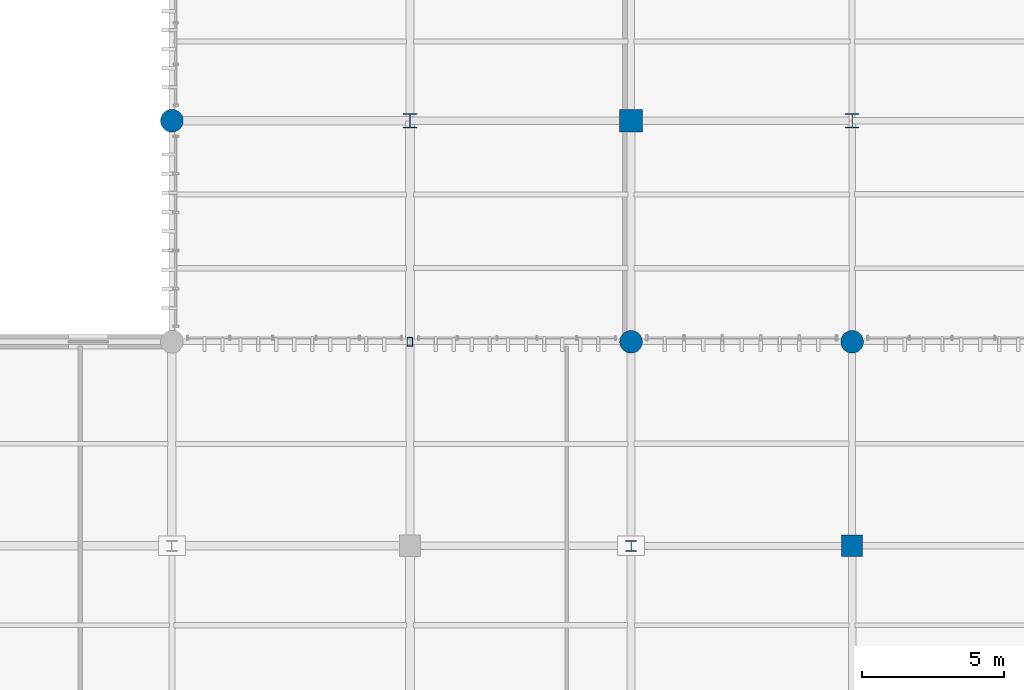
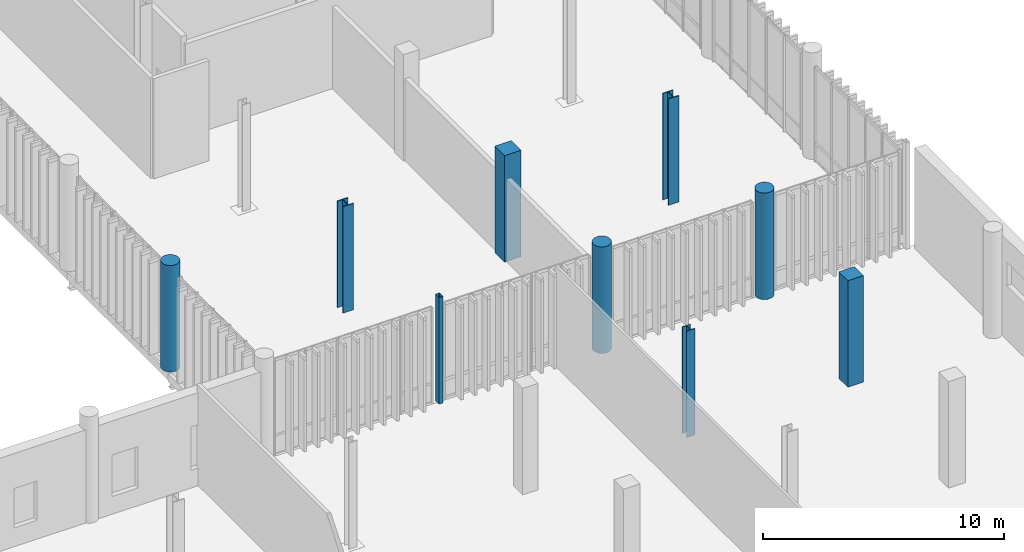
# One storey, part 11 of 112: 9 columns.
"""IFC4 building model written with IfcOpenShell, lengths in metres."""

from ifc_helpers import new_model, si_unit, direction, frame, origin_with_axes, origin_2d_with_axis, place, context, subcontext, project, spatial, rectangle, hollow_rectangle, circle, i_section, extrude, material, material_profile, profile_set, type_object, element, save


model = new_model("IFC4")

# Units and contexts
model_context = context("Model", 3, precision=1e-05, world=origin_with_axes(), true_north=direction((0.0, 1.0)))
body_context = subcontext(model_context, "Body", "Model", "MODEL_VIEW")
ifc_project = project(units=[si_unit("LENGTHUNIT", "METRE"), si_unit("AREAUNIT", "SQUARE_METRE"), si_unit("VOLUMEUNIT", "CUBIC_METRE"), si_unit("PLANEANGLEUNIT", "RADIAN"), si_unit("MASSUNIT", "GRAM", prefix="KILO"), si_unit("THERMODYNAMICTEMPERATUREUNIT", "KELVIN")], contexts=[model_context])

# Site, building, storey
site_placement = place(None, origin_with_axes())
site = spatial("IfcSite", under=ifc_project, at=site_placement, CompositionType="ELEMENT")
building_placement = place(site_placement, origin_with_axes())
building = spatial("IfcBuilding", under=site, at=building_placement, Name="Montbau Bow Law Courts", CompositionType="ELEMENT")
storey_placement = place(building_placement, origin_with_axes())
storey = spatial("IfcBuildingStorey", under=building, at=storey_placement, Name="L00", CompositionType="ELEMENT", Elevation=0.0)

# Columns
ifc_material_1 = material(Name="Steel CSA G40.21 Grade 350WT (350 MPa)", Category="steel")
ifc_material_profile_1 = material_profile(ifc_material_1, hollow_rectangle(XDim=0.203, YDim=0.305, WallThickness=0.0127, InnerFilletRadius=0.0254, OuterFilletRadius=0.0127, at=origin_2d_with_axis()), Name="HSS305X203X13", Category="Main", Priority=0)
ifc_profile_set_1 = profile_set([ifc_material_profile_1], Name="Steel CSA G40.21 Grade 350WT (350 MPa)")
column_type_1 = type_object("IfcColumnType", Name="C-HSS-03", PredefinedType="COLUMN", material=ifc_profile_set_1)
column_1_placement = place(None, frame((147.0, 61.8, 0.0), z_axis=(0.0, 0.0, 1.0), x_axis=(1.0, 0.0, 0.0)))
element("IfcColumn", 1, at=column_1_placement, inside=storey, type_object=column_type_1, Name="C-L00-S0306:col2_0306", PredefinedType="COLUMN", context=body_context, shape_type="SweptSolid", body=[
    extrude(hollow_rectangle(XDim=0.203, YDim=0.305, WallThickness=0.0127, InnerFilletRadius=0.0254, OuterFilletRadius=0.0127, at=origin_2d_with_axis()), origin_with_axes(), (0.0, 0.0, 1.0), 5.4),
])
ifc_material_2 = material(Name="Concrete CSA A23.1 f'c 45 MPa", Category="concrete")
ifc_material_profile_2 = material_profile(ifc_material_2, rectangle(XDim=0.8, YDim=0.8, at=origin_2d_with_axis()), Name="RC800X800", Category="Main", Priority=0)
ifc_profile_set_2 = profile_set([ifc_material_profile_2], Name="Concrete CSA A23.1 f'c 45 MPa")
column_type_2 = type_object("IfcColumnType", Name="C-RC-02", PredefinedType="COLUMN", material=ifc_profile_set_2)
column_2_placement = place(None, frame((154.8, 69.6, 0.0), z_axis=(0.0, 0.0, 1.0), x_axis=(1.0, 0.0, 0.0)))
element("IfcColumn", 2, at=column_2_placement, inside=storey, type_object=column_type_2, Name="C-L00-S0322:col2_0322", PredefinedType="COLUMN", context=body_context, shape_type="SweptSolid", body=[
    extrude(rectangle(XDim=0.8, YDim=0.8, at=origin_2d_with_axis()), origin_with_axes(), (0.0, 0.0, 1.0), 5.4),
])
ifc_material_3 = material(Name="Concrete CSA A23.1 f'c 40 MPa", Category="concrete")
ifc_material_profile_3 = material_profile(ifc_material_3, rectangle(XDim=0.75, YDim=0.75, at=origin_2d_with_axis()), Name="RC750X750", Category="Main", Priority=0)
ifc_profile_set_3 = profile_set([ifc_material_profile_3], Name="Concrete CSA A23.1 f'c 40 MPa")
column_type_3 = type_object("IfcColumnType", Name="C-RC-03", PredefinedType="COLUMN", material=ifc_profile_set_3)
column_3_placement = place(None, frame((162.6, 54.6, 0.0), z_axis=(0.0, 0.0, 1.0), x_axis=(1.0, 0.0, 0.0)))
element("IfcColumn", 3, at=column_3_placement, inside=storey, type_object=column_type_3, Name="C-L00-S0335:col2_0335", PredefinedType="COLUMN", context=body_context, shape_type="SweptSolid", body=[
    extrude(rectangle(XDim=0.75, YDim=0.75, at=origin_2d_with_axis()), origin_with_axes(), (0.0, 0.0, 1.0), 5.4),
])
ifc_material_profile_4 = material_profile(ifc_material_3, circle(Radius=0.4, at=origin_2d_with_axis()), Name="RC800D", Category="Main", Priority=0)
ifc_profile_set_4 = profile_set([ifc_material_profile_4], Name="Concrete CSA A23.1 f'c 40 MPa")
column_type_4 = type_object("IfcColumnType", Name="C-RC-07", PredefinedType="COLUMN", material=ifc_profile_set_4)
for number, where, z_axis, x_axis, name in (
    (4, (138.6, 69.6, 0.0), (0.0, 0.0, 1.0), (1.0, 0.0, 0.0), "C-L00-S0292:col2_0292"),
    (5, (154.8, 61.8, 0.0), (0.0, 0.0, 1.0), (1.0, 0.0, 0.0), "C-L00-S0321:col2_0321"),
    (6, (162.6, 61.8, 0.0), (0.0, 0.0, 1.0), (1.0, 0.0, 0.0), "C-L00-S0336:col2_0336"),
):
    element("IfcColumn", number, at=place(None, frame(where, z_axis=z_axis, x_axis=x_axis)), inside=storey, type_object=column_type_4, Name=name, PredefinedType="COLUMN", context=body_context, shape_type="SweptSolid", body=[
        extrude(circle(Radius=0.4, at=origin_2d_with_axis()), origin_with_axes(), (0.0, 0.0, 1.0), 5.4),
    ])
ifc_material_4 = material(Name="Steel CSA G40.21 Grade 350W (350 MPa)", Category="steel")
ifc_material_profile_5 = material_profile(ifc_material_4, i_section(OverallWidth=0.5, OverallDepth=0.5, WebThickness=0.022, FlangeThickness=0.036, at=origin_2d_with_axis()), Name="WWF500X343", Category="Main", Priority=0)
ifc_profile_set_5 = profile_set([ifc_material_profile_5], Name="Steel CSA G40.21 Grade 350W (350 MPa)")
column_type_5 = type_object("IfcColumnType", Name="C-STL-02", PredefinedType="COLUMN", material=ifc_profile_set_5)
for number, where, z_axis, x_axis, name in (
    (7, (147.0, 69.6, 0.0), (0.0, 0.0, 1.0), (1.0, 0.0, 0.0), "C-L00-S0307:col2_0307"),
    (8, (162.6, 69.6, 0.0), (0.0, 0.0, 1.0), (1.0, 0.0, 0.0), "C-L00-S0337:col2_0337"),
):
    element("IfcColumn", number, at=place(None, frame(where, z_axis=z_axis, x_axis=x_axis)), inside=storey, type_object=column_type_5, Name=name, PredefinedType="COLUMN", context=body_context, shape_type="SweptSolid", body=[
        extrude(i_section(OverallWidth=0.5, OverallDepth=0.5, WebThickness=0.022, FlangeThickness=0.036, at=origin_2d_with_axis()), origin_with_axes(), (0.0, 0.0, 1.0), 5.4),
    ])
ifc_material_profile_6 = material_profile(ifc_material_4, i_section(OverallWidth=0.395, OverallDepth=0.38, WebThickness=0.0189, FlangeThickness=0.0302, at=origin_2d_with_axis()), Name="W360X237", Category="Main", Priority=0)
ifc_profile_set_6 = profile_set([ifc_material_profile_6], Name="Steel CSA G40.21 Grade 350W (350 MPa)")
column_type_6 = type_object("IfcColumnType", Name="C-STL-03", PredefinedType="COLUMN", material=ifc_profile_set_6)
column_4_placement = place(None, frame((154.8, 54.6, 0.0), z_axis=(0.0, 0.0, 1.0), x_axis=(1.0, 0.0, 0.0)))
element("IfcColumn", 9, at=column_4_placement, inside=storey, type_object=column_type_6, Name="C-L00-S0320:col2_0320", PredefinedType="COLUMN", context=body_context, shape_type="SweptSolid", body=[
    extrude(i_section(OverallWidth=0.395, OverallDepth=0.38, WebThickness=0.0189, FlangeThickness=0.0302, at=origin_2d_with_axis()), origin_with_axes(), (0.0, 0.0, 1.0), 5.4),
])

save(model, "model.ifc")
